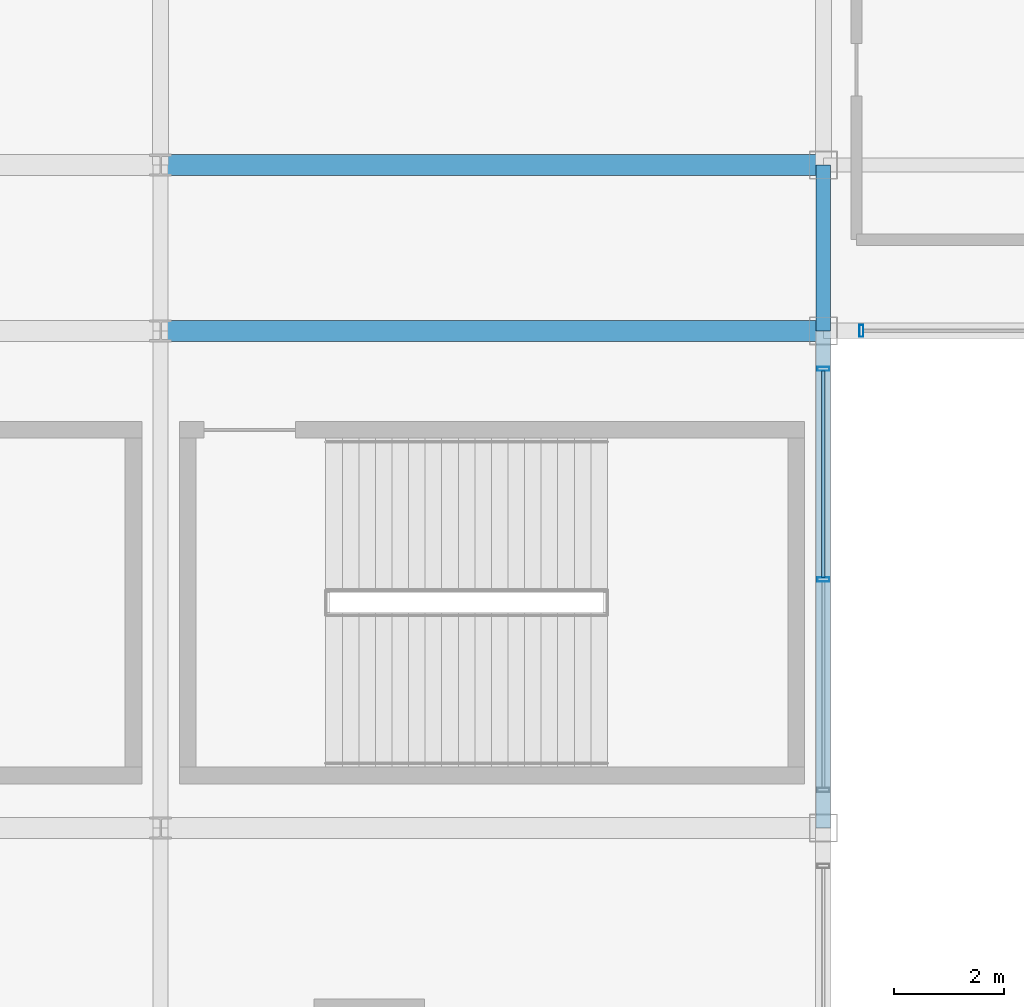
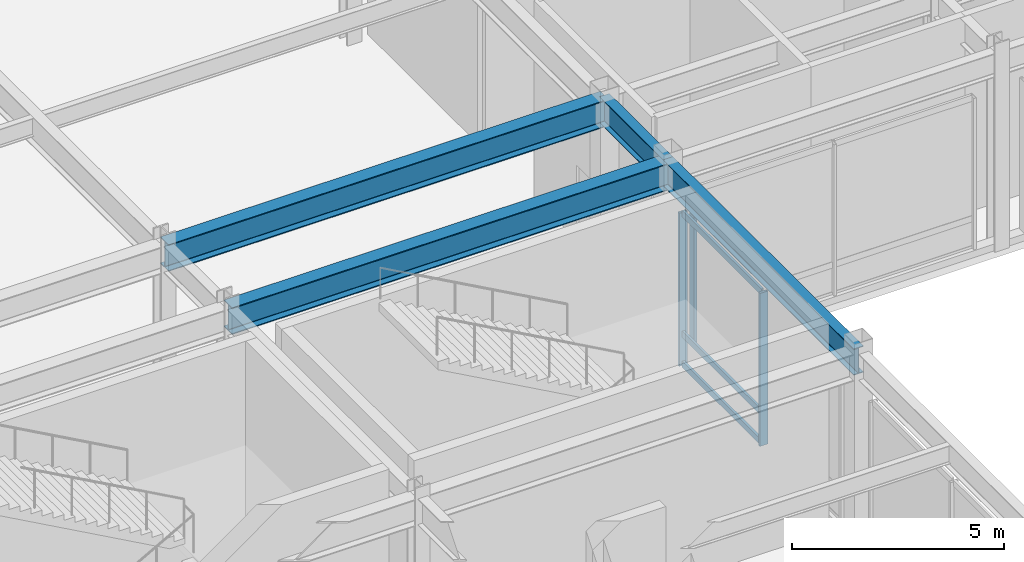
# One storey, part 54 of 105: 6 members, 4 beams, 2 elements without a shape of their own.
"""IFC4 building model written with IfcOpenShell, lengths in metres."""

from ifc_helpers import new_model, si_unit, direction, frame, origin, origin_2d, place, context, subcontext, project, spatial, hollow_rectangle, i_section, extrude, material, material_profile, profile_set, type_object, element, aggregate, save


model = new_model("IFC4")

# Units and contexts
model_context = context("Model", 3, precision=1e-05, world=origin(), true_north=direction((0.0, 1.0)))
body_context = subcontext(model_context, "Body", "Model", "MODEL_VIEW")
ifc_project = project(units=[si_unit("LENGTHUNIT", "METRE"), si_unit("AREAUNIT", "SQUARE_METRE"), si_unit("VOLUMEUNIT", "CUBIC_METRE"), si_unit("PLANEANGLEUNIT", "RADIAN"), si_unit("MASSUNIT", "GRAM", prefix="KILO")], contexts=[model_context])

# Site, building, storey
site_placement = place(None, origin())
site = spatial("IfcSite", under=ifc_project, at=site_placement, CompositionType="ELEMENT")
building_placement = place(site_placement, origin())
building = spatial("IfcBuilding", under=site, at=building_placement, Name="Kaldorvane Square Convention Centre", CompositionType="ELEMENT")
storey_placement = place(building_placement, frame((0.0, 0.0, 6.0)))
storey = spatial("IfcBuildingStorey", under=building, at=storey_placement, Name="L01", CompositionType="ELEMENT", Elevation=6.0)

# Beams
ifc_material_1 = material(Name="Steel ASTM A992 Gr. 50", Category="steel")
ifc_material_profile_1 = material_profile(ifc_material_1, i_section(OverallWidth=0.2666015625, OverallDepth=0.762298583984375, WebThickness=0.014404296875, FlangeThickness=0.0216064453125, FilletRadius=0.0164947509765625, at=origin_2d()), Name="W30X116")
ifc_profile_set_1 = profile_set([ifc_material_profile_1], Name="Steel ASTM A992 Gr. 50")
beam_type_1 = type_object("IfcBeamType", Name="BM-GR-W30X116", PredefinedType="BEAM", material=ifc_profile_set_1)
beam_1_placement = place(storey_placement, frame((138.0, 72.0, 5.2949066162109375), z_axis=(0.0, 1.0, 0.0), x_axis=(-1.0, 0.0, 0.0)))
element("IfcBeam", 1, at=beam_1_placement, inside=storey, type_object=beam_type_1, Name="Transverse Girder (L01)", PredefinedType="BEAM", context=body_context, shape_type="SweptSolid", body=[
    extrude(i_section(OverallWidth=0.2666015625, OverallDepth=0.762298583984375, WebThickness=0.014404296875, FlangeThickness=0.0216064453125, FilletRadius=0.0164947509765625, at=origin_2d()), origin(), (0.0, 0.0, 1.0), 9.0),
])
beam_2_placement = place(storey_placement, frame((138.0, 81.0, 5.2949066162109375), z_axis=(0.0, 1.0, 0.0), x_axis=(-1.0, 0.0, 0.0)))
element("IfcBeam", 2, at=beam_2_placement, inside=storey, type_object=beam_type_1, Name="Transverse Girder (L01)", PredefinedType="BEAM", context=body_context, shape_type="SweptSolid", body=[
    extrude(i_section(OverallWidth=0.2666015625, OverallDepth=0.762298583984375, WebThickness=0.014404296875, FlangeThickness=0.0216064453125, FilletRadius=0.0164947509765625, at=origin_2d()), origin(), (0.0, 0.0, 1.0), 3.0),
])
ifc_material_profile_2 = material_profile(ifc_material_1, i_section(OverallWidth=0.380706787109375, OverallDepth=0.773193359375, WebThickness=0.0166015625, FlangeThickness=0.027099609375, FilletRadius=0.0164947509765625, at=origin_2d()), Name="W30X173")
ifc_profile_set_2 = profile_set([ifc_material_profile_2], Name="Steel ASTM A992 Gr. 50")
beam_type_2 = type_object("IfcBeamType", Name="BM-GR-W30X173", PredefinedType="BEAM", material=ifc_profile_set_2)
for number, where, z_axis, x_axis, name in (
    (3, (126.0, 81.0, 5.289398193359375), (1.0, 0.0, 0.0), (0.0, 1.0, 0.0), "Primary Girder (L01)"),
    (4, (126.0, 84.0, 5.289398193359375), (1.0, 0.0, 0.0), (0.0, 1.0, 0.0), "Primary Girder (L01)"),
):
    element("IfcBeam", number, at=place(storey_placement, frame(where, z_axis=z_axis, x_axis=x_axis)), inside=storey, type_object=beam_type_2, Name=name, PredefinedType="BEAM", context=body_context, shape_type="SweptSolid", body=[
        extrude(i_section(OverallWidth=0.380706787109375, OverallDepth=0.773193359375, WebThickness=0.0166015625, FlangeThickness=0.027099609375, FilletRadius=0.0164947509765625, at=origin_2d()), origin(), (0.0, 0.0, 1.0), 12.0),
    ])

# Curtain wall, members
ifc_material_2 = material(Name="Anodized Aluminum and Low-E Insulated Glazing", Category="aluminium")
curtain_wall_type = type_object("IfcCurtainWallType", Name="CW-PTS-FC-60", PredefinedType="USERDEFINED", material=ifc_material_2)
curtain_wall_1_placement = place(storey_placement, origin())
curtain_wall_1 = element("IfcCurtainWall", 5, at=curtain_wall_1_placement, inside=storey, type_object=curtain_wall_type, Name="Curtain Wall CW-07 (L01)", ObjectType="POINT SUPPORTED GLAZING", PredefinedType="USERDEFINED")
ifc_material_profile_3 = material_profile(ifc_material_2, hollow_rectangle(XDim=0.0749969482421875, YDim=0.220001220703125, WallThickness=0.003997802734375, at=origin_2d()), Name="CWM-220X75")
ifc_profile_set_3 = profile_set([ifc_material_profile_3], Name="Anodized Aluminum and Low-E Insulated Glazing")
member_type_1 = type_object("IfcMemberType", Name="CW-MUL-220", PredefinedType="MULLION", material=ifc_profile_set_3)
member_1_placement = place(storey_placement, frame((138.0, 76.5, 0.149993896484375), z_axis=(0.0, 0.0, 1.0), x_axis=(0.0, 1.0, 0.0)))
member_1 = element("IfcMember", 6, at=member_1_placement, type_object=member_type_1, Name="CW-07 mullion 2", PredefinedType="MULLION", context=body_context, shape_type="SweptSolid", body=[
    extrude(hollow_rectangle(XDim=0.0749969482421875, YDim=0.220001220703125, WallThickness=0.003997802734375, at=origin_2d()), origin(), (0.0, 0.0, 1.0), 4.410003662109375),
])
member_2_placement = place(storey_placement, frame((138.0, 80.3125, 0.149993896484375), z_axis=(0.0, 0.0, 1.0), x_axis=(0.0, 1.0, 0.0)))
member_2 = element("IfcMember", 7, at=member_2_placement, type_object=member_type_1, Name="CW-07 mullion 3", PredefinedType="MULLION", context=body_context, shape_type="SweptSolid", body=[
    extrude(hollow_rectangle(XDim=0.0749969482421875, YDim=0.220001220703125, WallThickness=0.003997802734375, at=origin_2d()), origin(), (0.0, 0.0, 1.0), 4.410003662109375),
])

# Curtain wall, member
curtain_wall_2_placement = place(storey_placement, origin())
curtain_wall_2 = element("IfcCurtainWall", 8, at=curtain_wall_2_placement, inside=storey, type_object=curtain_wall_type, Name="Curtain Wall CW-07 (L01)", ObjectType="POINT SUPPORTED GLAZING", PredefinedType="USERDEFINED")
member_3_placement = place(storey_placement, frame((138.6875, 81.0, 0.149993896484375), z_axis=(0.0, 0.0, 1.0), x_axis=(1.0, 0.0, 0.0)))
member_3 = element("IfcMember", 9, at=member_3_placement, type_object=member_type_1, Name="CW-07 mullion 1", PredefinedType="MULLION", context=body_context, shape_type="SweptSolid", body=[
    extrude(hollow_rectangle(XDim=0.0749969482421875, YDim=0.220001220703125, WallThickness=0.003997802734375, at=origin_2d()), origin(), (0.0, 0.0, 1.0), 4.410003662109375),
])
aggregate(curtain_wall_2, [member_3])

# Member
ifc_material_profile_4 = material_profile(ifc_material_2, hollow_rectangle(XDim=0.06500244140625, YDim=0.17999267578125, WallThickness=0.0034942626953125, at=origin_2d()), Name="CWT-180X65")
ifc_profile_set_4 = profile_set([ifc_material_profile_4], Name="Anodized Aluminum and Low-E Insulated Glazing")
member_type_2 = type_object("IfcMemberType", Name="CW-TRN-180", PredefinedType="USERDEFINED", material=ifc_profile_set_4)
member_4_placement = place(storey_placement, frame((138.0, 76.53750610351562, 0.1824951171875), z_axis=(0.0, 1.0, 0.0), x_axis=(-1.0, 0.0, 0.0)))
member_4 = element("IfcMember", 10, at=member_4_placement, type_object=member_type_2, Name="CW-07 transom 2.1", ObjectType="TRANSOM", PredefinedType="USERDEFINED", context=body_context, shape_type="SweptSolid", body=[
    extrude(hollow_rectangle(XDim=0.06500244140625, YDim=0.17999267578125, WallThickness=0.0034942626953125, at=origin_2d()), origin(), (0.0, 0.0, 1.0), 3.73748779296875),
])

member_5_placement = place(storey_placement, frame((138.0, 76.53750610351562, 1.0500030517578125), z_axis=(0.0, 1.0, 0.0), x_axis=(-1.0, 0.0, 0.0)))
member_5 = element("IfcMember", 11, at=member_5_placement, type_object=member_type_2, Name="CW-07 transom 2.2", ObjectType="TRANSOM", PredefinedType="USERDEFINED", context=body_context, shape_type="SweptSolid", body=[
    extrude(hollow_rectangle(XDim=0.06500244140625, YDim=0.17999267578125, WallThickness=0.0034942626953125, at=origin_2d()), origin(), (0.0, 0.0, 1.0), 3.73748779296875),
])

member_6_placement = place(storey_placement, frame((138.0, 76.53750610351562, 4.527496337890625), z_axis=(0.0, 1.0, 0.0), x_axis=(-1.0, 0.0, 0.0)))
member_6 = element("IfcMember", 12, at=member_6_placement, type_object=member_type_2, Name="CW-07 transom 2.3", ObjectType="TRANSOM", PredefinedType="USERDEFINED", context=body_context, shape_type="SweptSolid", body=[
    extrude(hollow_rectangle(XDim=0.06500244140625, YDim=0.17999267578125, WallThickness=0.0034942626953125, at=origin_2d()), origin(), (0.0, 0.0, 1.0), 3.73748779296875),
])

aggregate(curtain_wall_1, [member_1, member_2, member_4, member_5, member_6])

save(model, "model.ifc")
